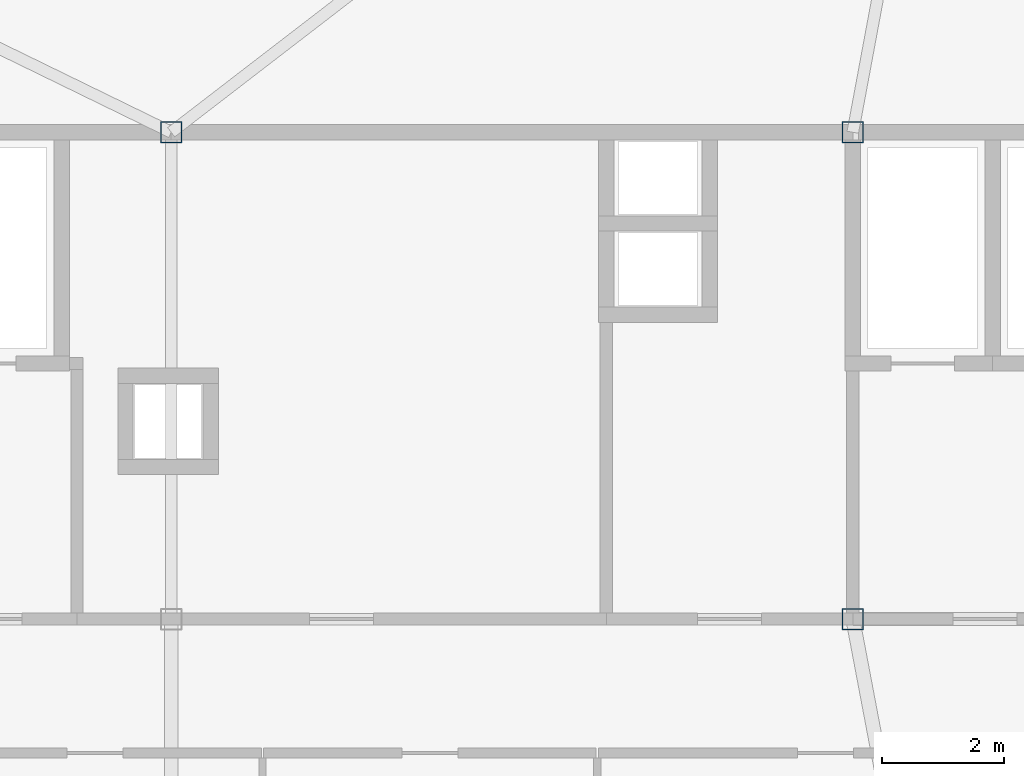
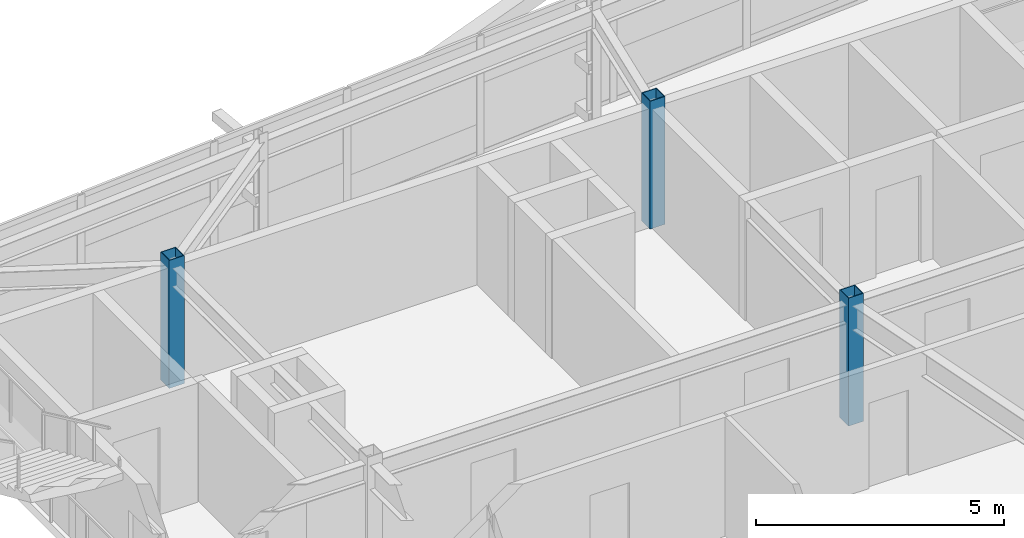
# One storey, part 3 of 46: 3 columns.
"""IFC4 building model written with IfcOpenShell, lengths in metres."""

from ifc_helpers import new_model, si_unit, direction, frame, origin, origin_2d, place, context, subcontext, project, spatial, hollow_rectangle, extrude, source, transform, mapped, material, material_profile, profile_set, type_object, element, save


model = new_model("IFC4")

# Units and contexts
model_context = context("Model", 3, precision=1e-05, world=origin(), true_north=direction((0.0, 1.0)))
body_context = subcontext(model_context, "Body", "Model", "MODEL_VIEW")
ifc_project = project(units=[si_unit("LENGTHUNIT", "METRE"), si_unit("AREAUNIT", "SQUARE_METRE"), si_unit("VOLUMEUNIT", "CUBIC_METRE"), si_unit("PLANEANGLEUNIT", "RADIAN"), si_unit("MASSUNIT", "GRAM", prefix="KILO")], contexts=[model_context])

# Site, building, storey
site_placement = place(None, origin())
site = spatial("IfcSite", under=ifc_project, at=site_placement, CompositionType="ELEMENT")
building_placement = place(site_placement, origin())
building = spatial("IfcBuilding", under=site, at=building_placement, Name="Taldren Reach Tower", CompositionType="ELEMENT")
storey_placement = place(building_placement, frame((0.0, 0.0, 185.14990234375)))
storey = spatial("IfcBuildingStorey", under=building, at=storey_placement, Name="L56", CompositionType="ELEMENT", Elevation=185.14990234375)

# Columns
ifc_material = material(Name="Steel Gr 450 (C450L0)", Category="steel")
ifc_material_profile = material_profile(ifc_material, hollow_rectangle(XDim=0.35009765625, YDim=0.35009765625, WallThickness=0.01611328125, at=origin_2d()), Name="350x350x16.0SHS")
ifc_profile_set = profile_set([ifc_material_profile], Name="Steel Gr 450 (C450L0)")
column_type = type_object("IfcColumnType", Name="COL-SHS350", PredefinedType="COLUMN", material=ifc_profile_set)
shared_shape = source(origin(), body_context, "Body", "SweptSolid", [
    extrude(hollow_rectangle(XDim=0.35009765625, YDim=0.35009765625, WallThickness=0.01611328125, at=origin_2d()), origin(), (0.0, 0.0, 1.0), 3.150146484375),
])
for number, where, z_axis, x_axis, name in (
    (1, (39.199951171875, 24.0, 0.0), (0.0, 0.0, 1.0), (1.0, 0.0, 0.0), "Mega column MC-C3 L56"),
    (2, (28.0, 32.0, 0.0), (0.0, 0.0, 1.0), (1.0, 0.0, 0.0), "Mega column MC-C6 L56"),
    (3, (39.199951171875, 32.0, 0.0), (0.0, 0.0, 1.0), (1.0, 0.0, 0.0), "Mega column MC-C7 L56"),
):
    element("IfcColumn", number, at=place(storey_placement, frame(where, z_axis=z_axis, x_axis=x_axis)), inside=storey, type_object=column_type, Name=name, PredefinedType="COLUMN", context=body_context, shape_type="MappedRepresentation", body=[
        mapped(shared_shape, transform((0.0, 0.0, 0.0), scale=1.0)),
    ])

save(model, "model.ifc")
